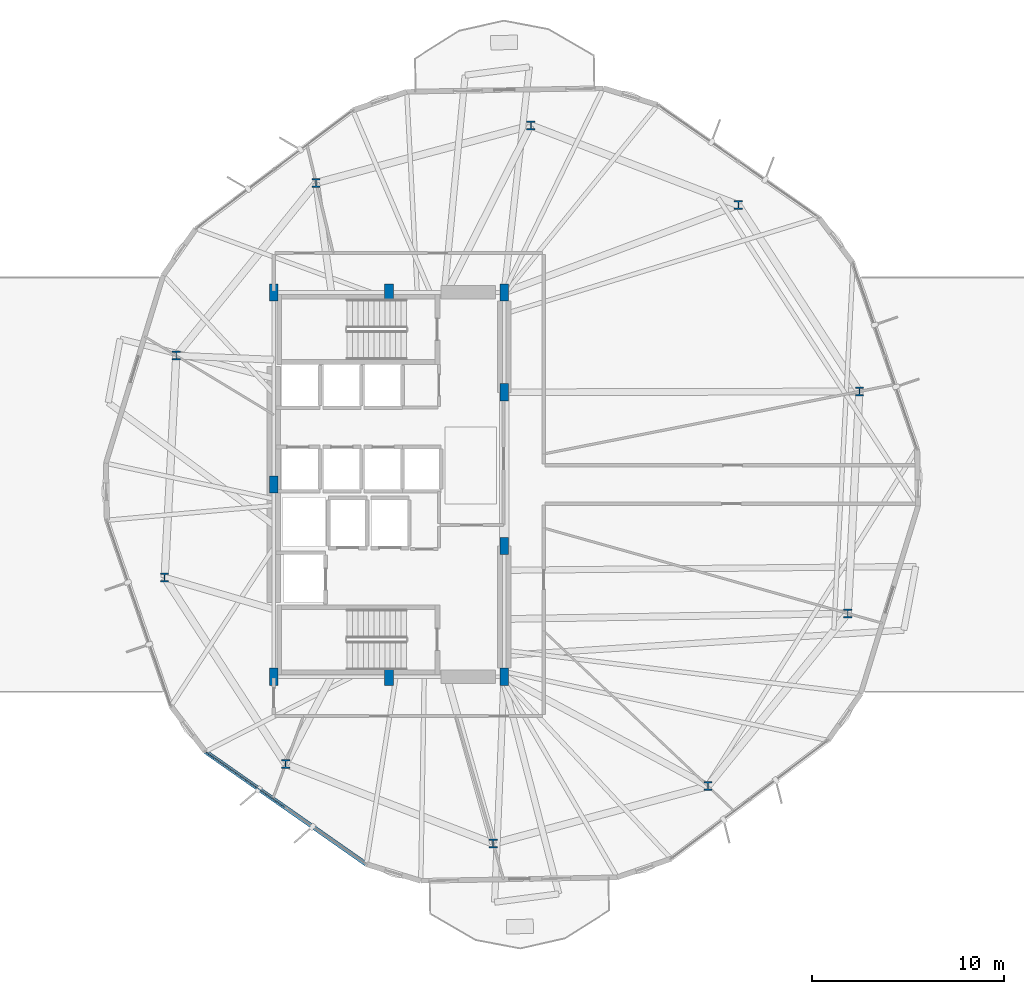
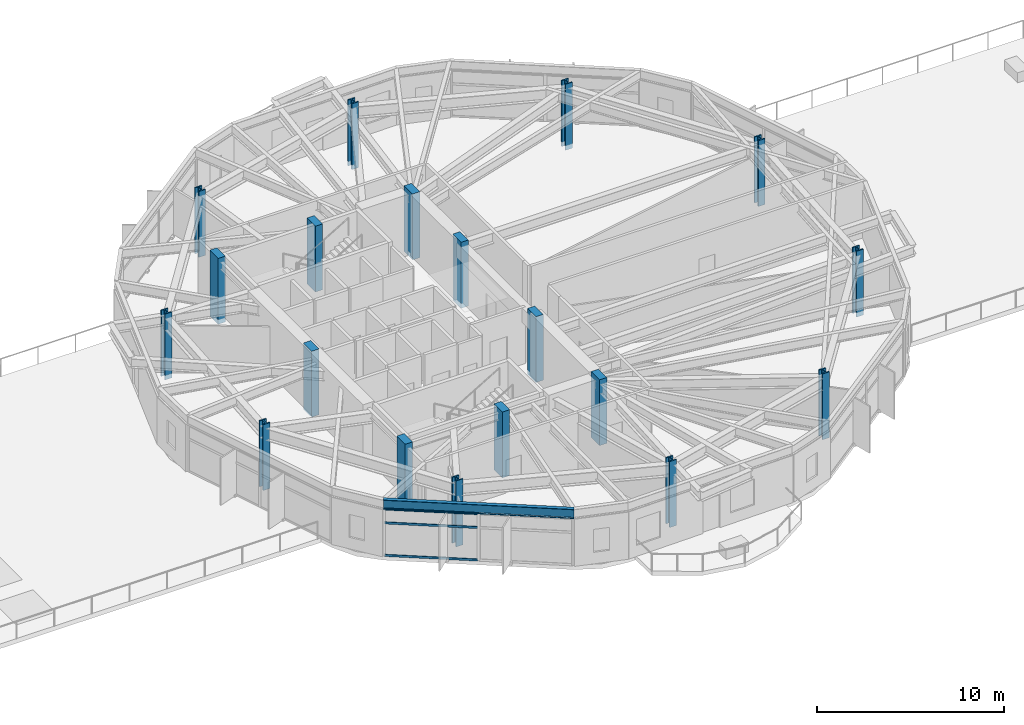
# One storey, part 1 of 23: 19 columns, 3 members, 1 beam, 1 element without a shape of its own.
"""IFC4 building model written with IfcOpenShell, lengths in metres."""

from ifc_helpers import new_model, si_unit, direction, frame, origin, origin_2d, place, context, subcontext, project, spatial, rectangle, hollow_rectangle, i_section, extrude, material, layer, layer_set, material_profile, profile_set, type_object, element, aggregate, save


model = new_model("IFC4")

# Units and contexts
model_context = context("Model", 3, precision=1e-05, world=origin(), true_north=direction((0.0, 1.0)))
body_context = subcontext(model_context, "Body", "Model", "MODEL_VIEW")
ifc_project = project(units=[si_unit("LENGTHUNIT", "METRE"), si_unit("AREAUNIT", "SQUARE_METRE"), si_unit("VOLUMEUNIT", "CUBIC_METRE"), si_unit("PLANEANGLEUNIT", "RADIAN"), si_unit("MASSUNIT", "GRAM", prefix="KILO")], contexts=[model_context])

# Site, building, storey
site_placement = place(None, origin())
site = spatial("IfcSite", under=ifc_project, at=site_placement, CompositionType="ELEMENT")
building_placement = place(site_placement, origin())
building = spatial("IfcBuilding", under=site, at=building_placement, Name="Soratama Intermodal Tower", CompositionType="ELEMENT")
storey_placement = place(building_placement, frame((0.0, 0.0, 30.60009765625)))
storey = spatial("IfcBuildingStorey", under=building, at=storey_placement, Name="L06", CompositionType="ELEMENT", Elevation=30.60009765625)

# Columns
ifc_material_1 = material(Name="Structural steel ASTM A992 Grade 50", Category="steel")
ifc_material_profile_1 = material_profile(ifc_material_1, i_section(OverallWidth=0.424072265625, OverallDepth=0.47412109375, WebThickness=0.047607421875, FlangeThickness=0.0771484375, FilletRadius=0.0380859375, at=origin_2d()), Name="W14X426")
ifc_profile_set_1 = profile_set([ifc_material_profile_1], Name="Structural steel ASTM A992 Grade 50")
column_type_1 = type_object("IfcColumnType", Name="COL-ZA-W14X426", PredefinedType="COLUMN", material=ifc_profile_set_1)
for number, where, z_axis, x_axis, name in (
    (1, (63.08203125, 29.84521484375, -0.300048828125), (0.0, 0.0, 1.0), (1.0, 0.0, 0.0), "L06 Tower Ring Column R01"),
    (2, (56.781005859375, 39.548095703125, -0.300048828125), (0.0, 0.0, 1.0), (1.0, 0.0, 0.0), "L06 Tower Ring Column R02"),
    (3, (45.979736328125, 43.6943359375, -0.300048828125), (0.0, 0.0, 1.0), (1.0, 0.0, 0.0), "L06 Tower Ring Column R03"),
    (4, (34.804443359375, 40.699951171875, -0.300048828125), (0.0, 0.0, 1.0), (1.0, 0.0, 0.0), "L06 Tower Ring Column R04"),
    (5, (27.5234375, 31.70849609375, -0.300048828125), (0.0, 0.0, 1.0), (1.0, 0.0, 0.0), "L06 Tower Ring Column R05"),
    (6, (26.91796875, 20.15478515625, -0.300048828125), (0.0, 0.0, 1.0), (1.0, 0.0, 0.0), "L06 Tower Ring Column R06"),
    (7, (33.218994140625, 10.451904296875, -0.300048828125), (0.0, 0.0, 1.0), (1.0, 0.0, 0.0), "L06 Tower Ring Column R07"),
    (8, (44.020263671875, 6.3056640625, -0.300048828125), (0.0, 0.0, 1.0), (1.0, 0.0, 0.0), "L06 Tower Ring Column R08"),
    (9, (55.195556640625, 9.300048828125, -0.300048828125), (0.0, 0.0, 1.0), (1.0, 0.0, 0.0), "L06 Tower Ring Column R09"),
    (10, (62.4765625, 18.29150390625, -0.300048828125), (0.0, 0.0, 1.0), (1.0, 0.0, 0.0), "L06 Tower Ring Column R10"),
):
    element("IfcColumn", number, at=place(storey_placement, frame(where, z_axis=z_axis, x_axis=x_axis)), inside=storey, type_object=column_type_1, Name=name, PredefinedType="COLUMN", context=body_context, shape_type="SweptSolid", body=[
        extrude(i_section(OverallWidth=0.424072265625, OverallDepth=0.47412109375, WebThickness=0.047607421875, FlangeThickness=0.0771484375, FilletRadius=0.0380859375, at=origin_2d()), origin(), (0.0, 0.0, 1.0), 4.300048828125),
    ])
ifc_material_2 = material(Name="Concrete f'c 56 MPa", Category="concrete")
ifc_material_profile_2 = material_profile(ifc_material_2, rectangle(XDim=0.449951171875, YDim=0.89990234375, at=origin_2d()), Name="RC450X900")
ifc_profile_set_2 = profile_set([ifc_material_profile_2], Name="Concrete f'c 56 MPa")
column_type_2 = type_object("IfcColumnType", Name="PIL-CORE-450X900", PredefinedType="PILASTER", material=ifc_profile_set_2)
for number, where, z_axis, x_axis, name in (
    (11, (32.60009765625, 15.0, -0.300048828125), (0.0, 0.0, 1.0), (1.0, 0.0, 0.0), "L06 Core Pilaster 1"),
    (12, (32.60009765625, 25.0, -0.300048828125), (0.0, 0.0, 1.0), (1.0, 0.0, 0.0), "L06 Core Pilaster 2"),
    (13, (32.60009765625, 35.0, -0.300048828125), (0.0, 0.0, 1.0), (1.0, 0.0, 0.0), "L06 Core Pilaster 3"),
    (14, (38.60009765625, 15.0, -0.300048828125), (0.0, 0.0, 1.0), (1.0, 0.0, 0.0), "L06 Core Pilaster 4"),
    (15, (38.60009765625, 35.0, -0.300048828125), (0.0, 0.0, 1.0), (1.0, 0.0, 0.0), "L06 Core Pilaster 5"),
    (16, (44.60009765625, 15.0, -0.300048828125), (0.0, 0.0, 1.0), (1.0, 0.0, 0.0), "L06 Core Pilaster 6"),
    (17, (44.60009765625, 21.800048828125, -0.300048828125), (0.0, 0.0, 1.0), (1.0, 0.0, 0.0), "L06 Core Pilaster 7"),
    (18, (44.60009765625, 29.800048828125, -0.300048828125), (0.0, 0.0, 1.0), (1.0, 0.0, 0.0), "L06 Core Pilaster 8"),
    (19, (44.60009765625, 35.0, -0.300048828125), (0.0, 0.0, 1.0), (1.0, 0.0, 0.0), "L06 Core Pilaster 9"),
):
    element("IfcColumn", number, at=place(storey_placement, frame(where, z_axis=z_axis, x_axis=x_axis)), inside=storey, type_object=column_type_2, Name=name, PredefinedType="PILASTER", context=body_context, shape_type="SweptSolid", body=[
        extrude(rectangle(XDim=0.449951171875, YDim=0.89990234375, at=origin_2d()), origin(), (0.0, 0.0, 1.0), 4.300048828125),
    ])

# Beam
ifc_material_3 = material(Name="Structural steel ASTM A992 Grade 50", Category="steel")
ifc_material_profile_3 = material_profile(ifc_material_3, i_section(OverallWidth=0.22900390625, OverallDepth=0.612060546875, WebThickness=0.011962890625, FlangeThickness=0.01953125, FilletRadius=0.012939453125, at=origin_2d()), Name="W24X84")
ifc_profile_set_3 = profile_set([ifc_material_profile_3], Name="Structural steel ASTM A992 Grade 50")
beam_type = type_object("IfcBeamType", Name="BM-SPN-W24X84", PredefinedType="SPANDREL", material=ifc_profile_set_3)
beam_placement = place(storey_placement, frame((29.031982421875, 11.10107421875, 3.393798828125), z_axis=(0.819345141527, -0.57330056607, 0.0), x_axis=(0.57330056607, 0.819345141527, 0.0)))
element("IfcBeam", 20, at=beam_placement, inside=storey, type_object=beam_type, Name="BS-L06-F07", PredefinedType="SPANDREL", context=body_context, shape_type="SweptSolid", body=[
    extrude(i_section(OverallWidth=0.22900390625, OverallDepth=0.612060546875, WebThickness=0.011962890625, FlangeThickness=0.01953125, FilletRadius=0.012939453125, at=origin_2d()), origin(), (0.0, 0.0, 1.0), 10.230224609375),
])

# Curtain wall, members
ifc_material_4 = material(Name="Double-glazed aluminium curtain wall", Category="aluminium")
ifc_layer = layer(ifc_material_4, 0.159912109375)
ifc_layer_set = layer_set([ifc_layer], Name="Double-glazed aluminium curtain wall")
curtain_wall_type = type_object("IfcCurtainWallType", Name="CW-SYS-2", PredefinedType="NOTDEFINED", material=ifc_layer_set)
curtain_wall_placement = place(storey_placement, origin())
curtain_wall = element("IfcCurtainWall", 21, at=curtain_wall_placement, inside=storey, type_object=curtain_wall_type, Name="L06 Faceted Curtain Wall F07", PredefinedType="NOTDEFINED")
ifc_material_5 = material(Name="Anodised aluminium AA 6063-T6", Category="aluminium")
ifc_material_profile_4 = material_profile(ifc_material_5, hollow_rectangle(XDim=0.06494140625, YDim=0.14990234375, WallThickness=0.0048828125, InnerFilletRadius=0.0048828125, OuterFilletRadius=0.010009765625, at=origin_2d()), Name="CWT150X65X5")
ifc_profile_set_4 = profile_set([ifc_material_profile_4], Name="Anodised aluminium AA 6063-T6")
member_type = type_object("IfcMemberType", Name="TT-CWT-1", PredefinedType="USERDEFINED", material=ifc_profile_set_4)
member_1_placement = place(storey_placement, frame((29.0810546875, 11.06640625, 0.02978515625), z_axis=(0.81933461419, -0.573315611151, 0.0), x_axis=(0.573315611151, 0.81933461419, 0.0)))
member_1 = element("IfcMember", 22, at=member_1_placement, type_object=member_type, Name="CW-2 transom 1.1", ObjectType="TRANSOM", PredefinedType="USERDEFINED", context=body_context, shape_type="SweptSolid", body=[
    extrude(hollow_rectangle(XDim=0.06494140625, YDim=0.14990234375, WallThickness=0.0048828125, InnerFilletRadius=0.0048828125, OuterFilletRadius=0.010009765625, at=origin_2d()), origin(), (0.0, 0.0, 1.0), 5.025390625),
])
member_2_placement = place(storey_placement, frame((29.0810546875, 11.06640625, 2.14990234375), z_axis=(0.81933461419, -0.573315611151, 0.0), x_axis=(0.573315611151, 0.81933461419, 0.0)))
member_2 = element("IfcMember", 23, at=member_2_placement, type_object=member_type, Name="CW-2 transom 1.2", ObjectType="TRANSOM", PredefinedType="USERDEFINED", context=body_context, shape_type="SweptSolid", body=[
    extrude(hollow_rectangle(XDim=0.06494140625, YDim=0.14990234375, WallThickness=0.0048828125, InnerFilletRadius=0.0048828125, OuterFilletRadius=0.010009765625, at=origin_2d()), origin(), (0.0, 0.0, 1.0), 5.025390625),
])
member_3_placement = place(storey_placement, frame((29.0810546875, 11.06640625, 3.048828125), z_axis=(0.81933461419, -0.573315611151, 0.0), x_axis=(0.573315611151, 0.81933461419, 0.0)))
member_3 = element("IfcMember", 24, at=member_3_placement, type_object=member_type, Name="CW-2 transom 1.3", ObjectType="TRANSOM", PredefinedType="USERDEFINED", context=body_context, shape_type="SweptSolid", body=[
    extrude(hollow_rectangle(XDim=0.06494140625, YDim=0.14990234375, WallThickness=0.0048828125, InnerFilletRadius=0.0048828125, OuterFilletRadius=0.010009765625, at=origin_2d()), origin(), (0.0, 0.0, 1.0), 5.025390625),
])
aggregate(curtain_wall, [member_1, member_2, member_3])

save(model, "model.ifc")
